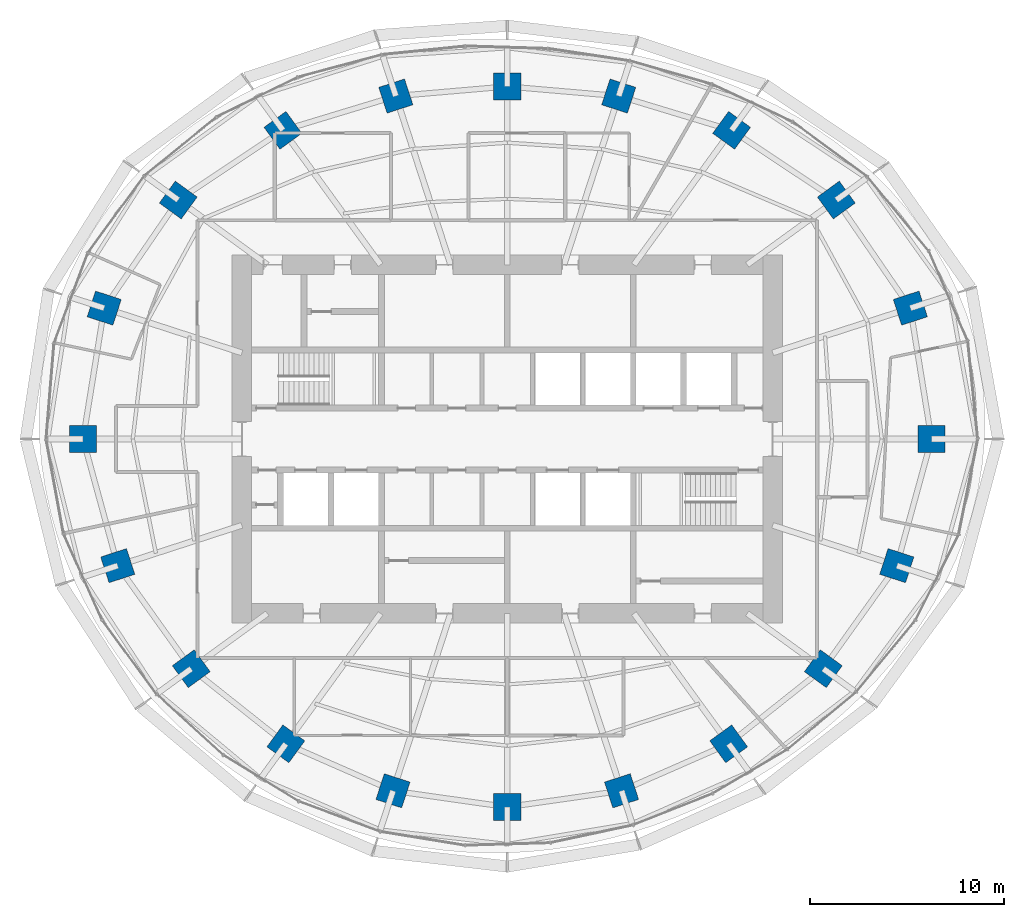
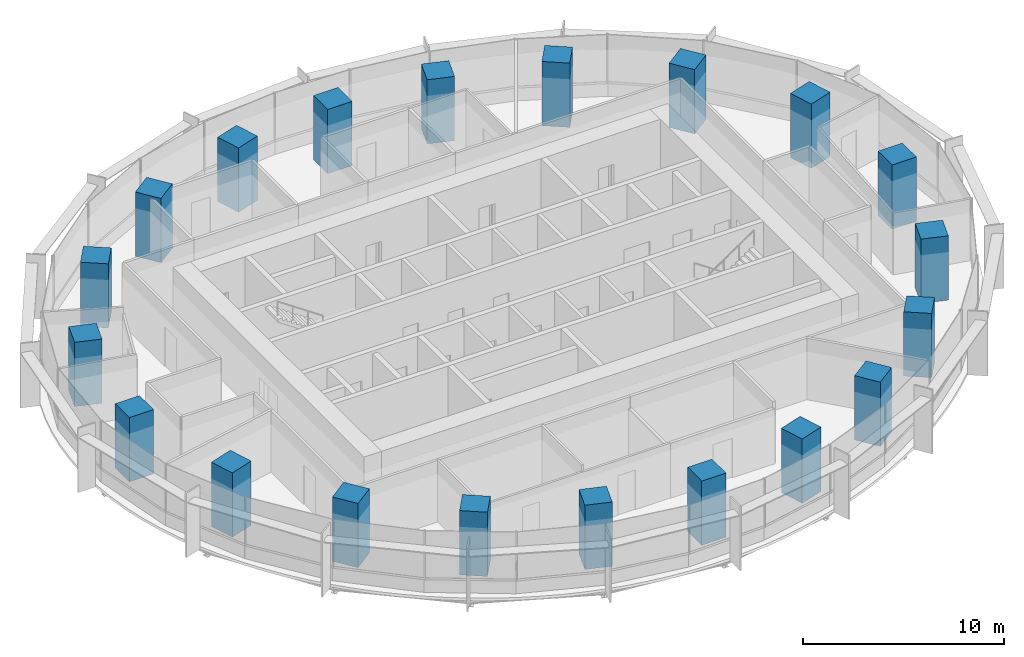
# One storey, part 1 of 14: 20 columns.
"""IFC4 building model written with IfcOpenShell, lengths in metres."""

from ifc_helpers import new_model, si_unit, direction, frame, origin, origin_2d, place, context, subcontext, project, spatial, rectangle, extrude, material, material_profile, profile_set, type_object, element, save


model = new_model("IFC4")

# Units and contexts
model_context = context("Model", 3, precision=1e-05, world=origin(), true_north=direction((0.0, 1.0)))
body_context = subcontext(model_context, "Body", "Model", "MODEL_VIEW")
ifc_project = project(units=[si_unit("LENGTHUNIT", "METRE"), si_unit("AREAUNIT", "SQUARE_METRE"), si_unit("VOLUMEUNIT", "CUBIC_METRE"), si_unit("PLANEANGLEUNIT", "RADIAN"), si_unit("MASSUNIT", "GRAM", prefix="KILO")], contexts=[model_context])

# Site, building, storey
site_placement = place(None, origin())
site = spatial("IfcSite", under=ifc_project, at=site_placement, CompositionType="ELEMENT")
building_placement = place(site_placement, origin())
building = spatial("IfcBuilding", under=site, at=building_placement, Name="Marramba Exchange Tower", CompositionType="ELEMENT")
storey_placement = place(building_placement, frame((0.0, 0.0, 199.39990234375)))
storey = spatial("IfcBuildingStorey", under=building, at=storey_placement, Name="L48", CompositionType="ELEMENT", Elevation=199.39990234375)

# Columns
ifc_material = material(Name="Concrete N50", Category="concrete")
ifc_material_profile = material_profile(ifc_material, rectangle(XDim=1.39990234375, YDim=1.39990234375, at=origin_2d()), Name="RC 1400x1400")
ifc_profile_set = profile_set([ifc_material_profile], Name="Concrete N50")
column_type = type_object("IfcColumnType", Name="Perimeter column RC 1400x1400 N50", PredefinedType="COLUMN", material=ifc_profile_set)
for number, where, z_axis, x_axis, name in (
    (1, (21.89990234375, 0.0, 0.0), (0.0, 0.0, 1.0), (1.0, 0.0, 0.0), "Column TC01 L48"),
    (2, (20.808349609375, 6.760986328125, 0.0), (0.0, 0.0, 1.0), (0.951056516295, 0.309016994375, 0.0), "Column TC02 L48"),
    (3, (16.98583984375, 12.3408203125, 0.0), (0.0, 0.0, 1.0), (0.809016994375, 0.587785252292, 0.0), "Column TC03 L48"),
    (4, (11.581298828125, 15.9404296875, 0.0), (0.0, 0.0, 1.0), (0.587785252292, 0.809016994375, 0.0), "Column TC04 L48"),
    (5, (5.75390625, 17.70849609375, 0.0), (0.0, 0.0, 1.0), (0.309016994375, 0.951056516295, 0.0), "Column TC05 L48"),
    (6, (0.0, 18.2041015625, 0.0), (0.0, 0.0, 1.0), (0.0, 1.0, 0.0), "Column TC06 L48"),
    (7, (-5.75390625, 17.70849609375, 0.0), (0.0, 0.0, 1.0), (-0.309016994375, 0.951056516295, 0.0), "Column TC07 L48"),
    (8, (-11.581298828125, 15.9404296875, 0.0), (0.0, 0.0, 1.0), (-0.587785252292, 0.809016994375, 0.0), "Column TC08 L48"),
    (9, (-16.98583984375, 12.3408203125, 0.0), (0.0, 0.0, 1.0), (-0.809016994375, 0.587785252292, 0.0), "Column TC09 L48"),
    (10, (-20.808349609375, 6.760986328125, 0.0), (0.0, 0.0, 1.0), (-0.951056516295, 0.309016994375, 0.0), "Column TC10 L48"),
    (11, (-21.89990234375, 0.0, 0.0), (0.0, 0.0, 1.0), (-1.0, 0.0, 0.0), "Column TC11 L48"),
    (12, (-20.109375, -6.533935546875, 0.0), (0.0, 0.0, 1.0), (-0.951056516295, -0.309016994375, 0.0), "Column TC12 L48"),
    (13, (-16.3154296875, -11.853759765625, 0.0), (0.0, 0.0, 1.0), (-0.809016994375, -0.587785252292, 0.0), "Column TC13 L48"),
    (14, (-11.430419921875, -15.732666015625, 0.0), (0.0, 0.0, 1.0), (-0.587785252292, -0.809016994375, 0.0), "Column TC14 L48"),
    (15, (-5.899658203125, -18.156982421875, 0.0), (0.0, 0.0, 1.0), (-0.309016994375, -0.951056516295, 0.0), "Column TC15 L48"),
    (16, (0.0, -18.99609375, 0.0), (0.0, 0.0, 1.0), (0.0, -1.0, 0.0), "Column TC16 L48"),
    (17, (5.899658203125, -18.156982421875, 0.0), (0.0, 0.0, 1.0), (0.309016994375, -0.951056516295, 0.0), "Column TC17 L48"),
    (18, (11.430419921875, -15.732666015625, 0.0), (0.0, 0.0, 1.0), (0.587785252292, -0.809016994375, 0.0), "Column TC18 L48"),
    (19, (16.3154296875, -11.853759765625, 0.0), (0.0, 0.0, 1.0), (0.809016994375, -0.587785252292, 0.0), "Column TC19 L48"),
    (20, (20.109375, -6.533935546875, 0.0), (0.0, 0.0, 1.0), (0.951056516295, -0.309016994375, 0.0), "Column TC20 L48"),
):
    element("IfcColumn", number, at=place(storey_placement, frame(where, z_axis=z_axis, x_axis=x_axis)), inside=storey, type_object=column_type, Name=name, PredefinedType="COLUMN", context=body_context, shape_type="SweptSolid", body=[
        extrude(rectangle(XDim=1.39990234375, YDim=1.39990234375, at=origin_2d()), origin(), (0.0, 0.0, 1.0), 3.900146484375),
    ])

save(model, "model.ifc")
